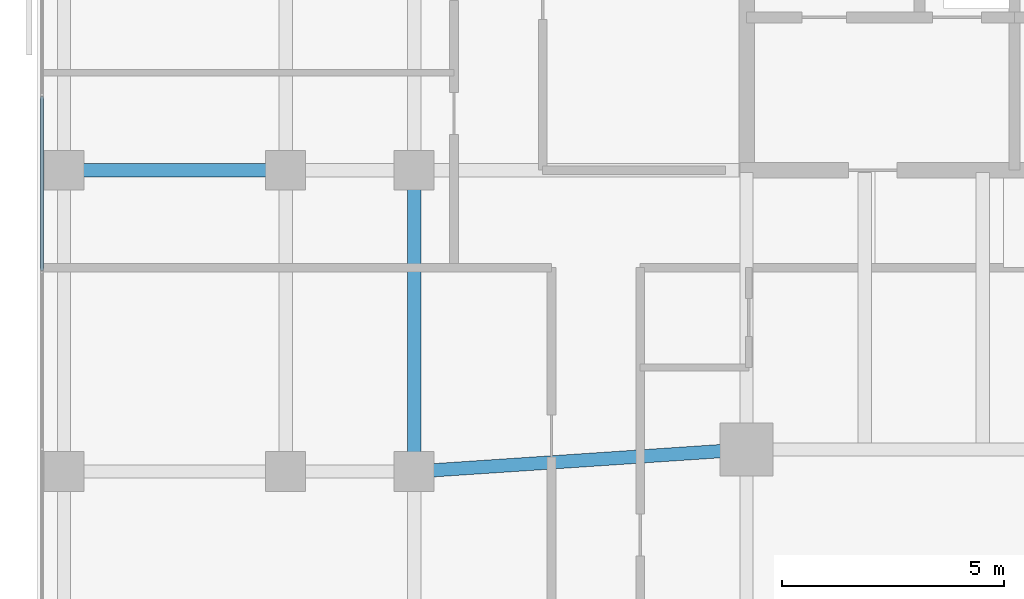
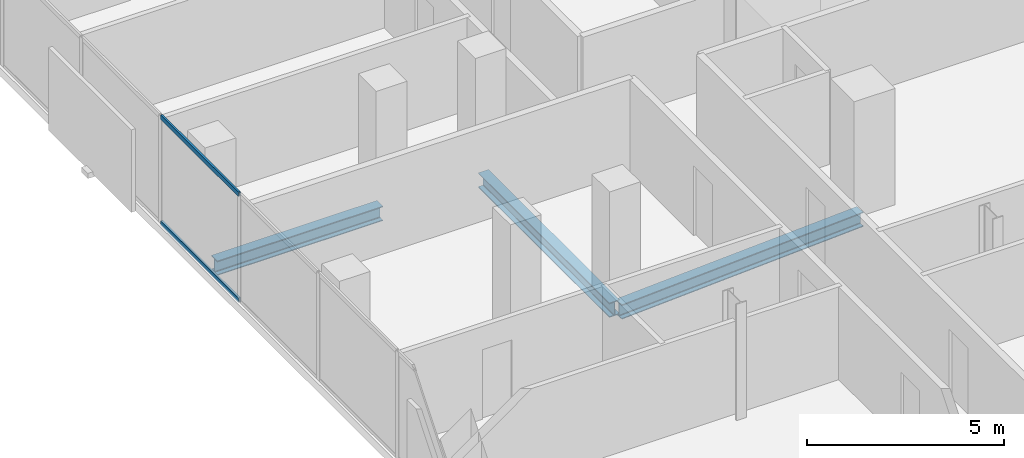
# One storey, part 10 of 34: 3 beams, 2 members, 1 element without a shape of its own.
"""IFC4 building model written with IfcOpenShell, lengths in metres."""

from ifc_helpers import new_model, si_unit, direction, frame, origin, origin_2d, place, context, subcontext, project, spatial, hollow_rectangle, i_section, extrude, material, layer, layer_set, material_profile, profile_set, type_object, element, aggregate, save


model = new_model("IFC4")

# Units and contexts
model_context = context("Model", 3, precision=1e-05, world=origin(), true_north=direction((0.0, 1.0)))
body_context = subcontext(model_context, "Body", "Model", "MODEL_VIEW")
ifc_project = project(units=[si_unit("LENGTHUNIT", "METRE"), si_unit("AREAUNIT", "SQUARE_METRE"), si_unit("VOLUMEUNIT", "CUBIC_METRE"), si_unit("PLANEANGLEUNIT", "RADIAN"), si_unit("MASSUNIT", "GRAM", prefix="KILO")], contexts=[model_context])

# Site, building, storey
site_placement = place(None, origin())
site = spatial("IfcSite", under=ifc_project, at=site_placement, CompositionType="ELEMENT")
building_placement = place(site_placement, origin())
building = spatial("IfcBuilding", under=site, at=building_placement, Name="Catumbela Crestline Tower", CompositionType="ELEMENT")
storey_placement = place(building_placement, frame((0.0, 0.0, 111.6)))
storey = spatial("IfcBuildingStorey", under=building, at=storey_placement, Name="L28", CompositionType="ELEMENT", Elevation=111.6)

# Beams
ifc_material_1 = material(Name="Structural steel S355J2", Category="steel")
ifc_material_profile_1 = material_profile(ifc_material_1, i_section(OverallWidth=0.3, OverallDepth=0.45, WebThickness=0.014, FlangeThickness=0.026, FilletRadius=0.027, at=origin_2d()), Name="HEB 450")
ifc_profile_set_1 = profile_set([ifc_material_profile_1], Name="Structural steel S355J2")
beam_type = type_object("IfcBeamType", Name="BG-HEB450", PredefinedType="BEAM", material=ifc_profile_set_1)
beam_1_placement = place(storey_placement, frame((8.5798, 24.0053, -0.485), z_axis=(0.997784796964, 0.066524423687, 0.0), x_axis=(-0.066524423687, 0.997784796964, 0.0)))
element("IfcBeam", 1, at=beam_1_placement, inside=storey, type_object=beam_type, Name="L28 Beam BM-L28-S03", PredefinedType="BEAM", context=body_context, shape_type="SweptSolid", body=[
    extrude(i_section(OverallWidth=0.3, OverallDepth=0.45, WebThickness=0.014, FlangeThickness=0.026, FilletRadius=0.027, at=origin_2d()), origin(), (0.0, 0.0, 1.0), 7.3567),
])
beam_2_placement = place(storey_placement, frame((0.68, 30.8, -0.485), z_axis=(1.0, 0.0, 0.0), x_axis=(0.0, 1.0, 0.0)))
element("IfcBeam", 2, at=beam_2_placement, inside=storey, type_object=beam_type, Name="L28 Beam BM-L28-M07", PredefinedType="BEAM", context=body_context, shape_type="SweptSolid", body=[
    extrude(i_section(OverallWidth=0.3, OverallDepth=0.45, WebThickness=0.014, FlangeThickness=0.026, FilletRadius=0.027, at=origin_2d()), origin(), (0.0, 0.0, 1.0), 4.84),
])
beam_3_placement = place(storey_placement, frame((8.5, 24.08, -0.485), z_axis=(0.0, 1.0, 0.0), x_axis=(-1.0, 0.0, 0.0)))
element("IfcBeam", 3, at=beam_3_placement, inside=storey, type_object=beam_type, Name="L28 Beam BM-L28-SN26", PredefinedType="BEAM", context=body_context, shape_type="SweptSolid", body=[
    extrude(i_section(OverallWidth=0.3, OverallDepth=0.45, WebThickness=0.014, FlangeThickness=0.026, FilletRadius=0.027, at=origin_2d()), origin(), (0.0, 0.0, 1.0), 6.64),
])

# Curtain wall, members
ifc_material_2 = material(Name="Aluminium alloy AW-6060-T66", Category="aluminium")
ifc_layer = layer(ifc_material_2, 0.18, Name="Aluminium alloy AW-6060-T66")
ifc_layer_set = layer_set([ifc_layer], Name="Aluminium alloy AW-6060-T66")
curtain_wall_type = type_object("IfcCurtainWallType", Name="CWU-Z2", PredefinedType="USERDEFINED", material=ifc_layer_set)
curtain_wall_placement = place(storey_placement, origin())
curtain_wall = element("IfcCurtainWall", 4, at=curtain_wall_placement, inside=storey, type_object=curtain_wall_type, Name="L28 Unitised Curtain Wall CW-L28-E9S1", ObjectType="UNITISED", PredefinedType="USERDEFINED")
ifc_material_profile_2 = material_profile(ifc_material_2, hollow_rectangle(XDim=0.06, YDim=0.14, WallThickness=0.004, at=origin_2d()), Name="ALU 140x60x4")
ifc_profile_set_2 = profile_set([ifc_material_profile_2], Name="Aluminium alloy AW-6060-T66")
member_type = type_object("IfcMemberType", Name="TRN-140X60", PredefinedType="USERDEFINED", material=ifc_profile_set_2)
member_1_placement = place(storey_placement, frame((0.1, 32.4675, 0.03), z_axis=(0.0, -1.0, 0.0), x_axis=(1.0, 0.0, 0.0)))
member_1 = element("IfcMember", 5, at=member_1_placement, type_object=member_type, Name="CWU-Z2 transom 4.1", ObjectType="TRANSOM", PredefinedType="USERDEFINED", context=body_context, shape_type="SweptSolid", body=[
    extrude(hollow_rectangle(XDim=0.06, YDim=0.14, WallThickness=0.004, at=origin_2d()), origin(), (0.0, 0.0, 1.0), 3.935),
])
member_2_placement = place(storey_placement, frame((0.1, 32.4675, 3.3), z_axis=(0.0, -1.0, 0.0), x_axis=(1.0, 0.0, 0.0)))
member_2 = element("IfcMember", 6, at=member_2_placement, type_object=member_type, Name="CWU-Z2 transom 4.2", ObjectType="TRANSOM", PredefinedType="USERDEFINED", context=body_context, shape_type="SweptSolid", body=[
    extrude(hollow_rectangle(XDim=0.06, YDim=0.14, WallThickness=0.004, at=origin_2d()), origin(), (0.0, 0.0, 1.0), 3.935),
])
aggregate(curtain_wall, [member_1, member_2])

save(model, "model.ifc")
